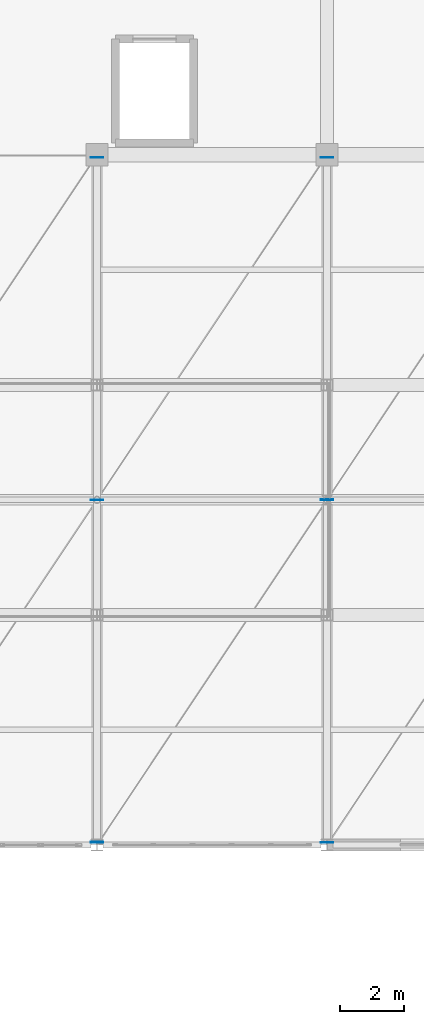
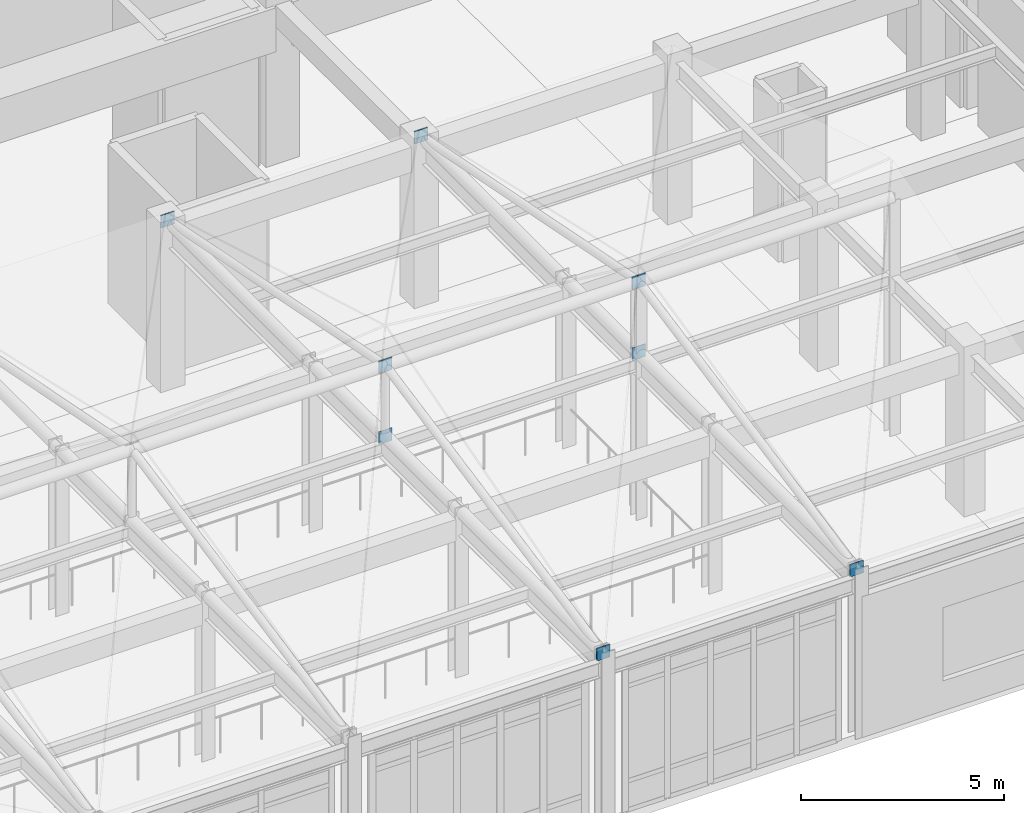
# One storey, part 84 of 117: 8 plates.
"""IFC4 building model written with IfcOpenShell, lengths in metres."""

from ifc_helpers import new_model, si_unit, direction, frame, origin, origin_2d, place, context, subcontext, project, spatial, rectangle, extrude, material, layer, layer_set, type_object, element, save


model = new_model("IFC4")

# Units and contexts
model_context = context("Model", 3, precision=1e-05, world=origin(), true_north=direction((0.0, 1.0)))
body_context = subcontext(model_context, "Body", "Model", "MODEL_VIEW")
ifc_project = project(units=[si_unit("LENGTHUNIT", "METRE"), si_unit("AREAUNIT", "SQUARE_METRE"), si_unit("VOLUMEUNIT", "CUBIC_METRE"), si_unit("PLANEANGLEUNIT", "RADIAN"), si_unit("MASSUNIT", "GRAM", prefix="KILO")], contexts=[model_context])

# Site, building, storey
site_placement = place(None, origin())
site = spatial("IfcSite", under=ifc_project, at=site_placement, CompositionType="ELEMENT")
building_placement = place(site_placement, origin())
building = spatial("IfcBuilding", under=site, at=building_placement, Name="Carrowvane Square Congress Hotel", CompositionType="ELEMENT")
storey_placement = place(building_placement, frame((0.0, 0.0, 5.39990234375)))
storey = spatial("IfcBuildingStorey", under=building, at=storey_placement, Name="L01", CompositionType="ELEMENT", Elevation=5.39990234375)

# Plates
ifc_material_1 = material(Name="Steel S355", Category="steel")
ifc_layer_1 = layer(ifc_material_1, 0.02001953125)
ifc_layer_set_1 = layer_set([ifc_layer_1], Name="Steel S355")
plate_type_1 = type_object("IfcPlateType", Name="PLT-GUS-20", PredefinedType="SHEET", material=ifc_layer_set_1)
for number, where, z_axis, x_axis, name in (
    (1, (112.39990234375, 81.0, 6.855712890625), (0.0, 0.0, 1.0), (1.0, 0.0, 0.0), "L01 brace connection end plate 258"),
    (2, (119.60009765625, 81.0, 4.730224609375), (0.0, 0.0, 1.0), (1.0, 0.0, 0.0), "L01 brace connection end plate 261"),
    (3, (119.60009765625, 91.719970703125, 4.730224609375), (0.0, 0.0, 1.0), (1.0, 0.0, 0.0), "L01 brace connection end plate 264"),
):
    element("IfcPlate", number, at=place(storey_placement, frame(where, z_axis=z_axis, x_axis=x_axis)), inside=storey, type_object=plate_type_1, Name=name, PredefinedType="SHEET", context=body_context, shape_type="SweptSolid", body=[
        extrude(rectangle(XDim=0.3798828125, YDim=0.02001953125, at=origin_2d()), origin(), (0.0, 0.0, 1.0), 0.3798828125),
    ])
ifc_material_2 = material(Name="Steel S355", Category="steel")
ifc_layer_2 = layer(ifc_material_2, 0.030029296875)
ifc_layer_set_2 = layer_set([ifc_layer_2], Name="Steel S355")
plate_type_2 = type_object("IfcPlateType", Name="PLT-GUS-30", PredefinedType="USERDEFINED", material=ifc_layer_set_2)
for number, where, z_axis, x_axis, name in (
    (4, (112.39990234375, 70.280029296875, 4.730224609375), (0.0, 0.0, 1.0), (1.0, 0.0, 0.0), "L01 brace connection end plate 259"),
    (5, (119.60009765625, 81.0, 6.855712890625), (0.0, 0.0, 1.0), (1.0, 0.0, 0.0), "L01 brace connection end plate 262"),
):
    element("IfcPlate", number, at=place(storey_placement, frame(where, z_axis=z_axis, x_axis=x_axis)), inside=storey, type_object=plate_type_2, Name=name, ObjectType="GUSSET PLATE", PredefinedType="USERDEFINED", context=body_context, shape_type="SweptSolid", body=[
        extrude(rectangle(XDim=0.3798828125, YDim=0.030029296875, at=origin_2d()), origin(), (0.0, 0.0, 1.0), 0.3798828125),
    ])
ifc_material_3 = material(Name="Steel S355", Category="steel")
ifc_layer_3 = layer(ifc_material_3, 0.01611328125)
ifc_layer_set_3 = layer_set([ifc_layer_3], Name="Steel S355")
plate_type_3 = type_object("IfcPlateType", Name="PLT-STF-16", PredefinedType="USERDEFINED", material=ifc_layer_set_3)
for number, where, z_axis, x_axis, name in (
    (6, (112.39990234375, 81.0, 4.730224609375), (0.0, 0.0, 1.0), (1.0, 0.0, 0.0), "L01 brace connection end plate 257"),
    (7, (112.39990234375, 91.719970703125, 4.730224609375), (0.0, 0.0, 1.0), (1.0, 0.0, 0.0), "L01 brace connection end plate 260"),
    (8, (119.60009765625, 70.280029296875, 4.730224609375), (0.0, 0.0, 1.0), (1.0, 0.0, 0.0), "L01 brace connection end plate 263"),
):
    element("IfcPlate", number, at=place(storey_placement, frame(where, z_axis=z_axis, x_axis=x_axis)), inside=storey, type_object=plate_type_3, Name=name, ObjectType="STIFFENER PLATE", PredefinedType="USERDEFINED", context=body_context, shape_type="SweptSolid", body=[
        extrude(rectangle(XDim=0.3798828125, YDim=0.01611328125, at=origin_2d()), origin(), (0.0, 0.0, 1.0), 0.3798828125),
    ])

save(model, "model.ifc")
